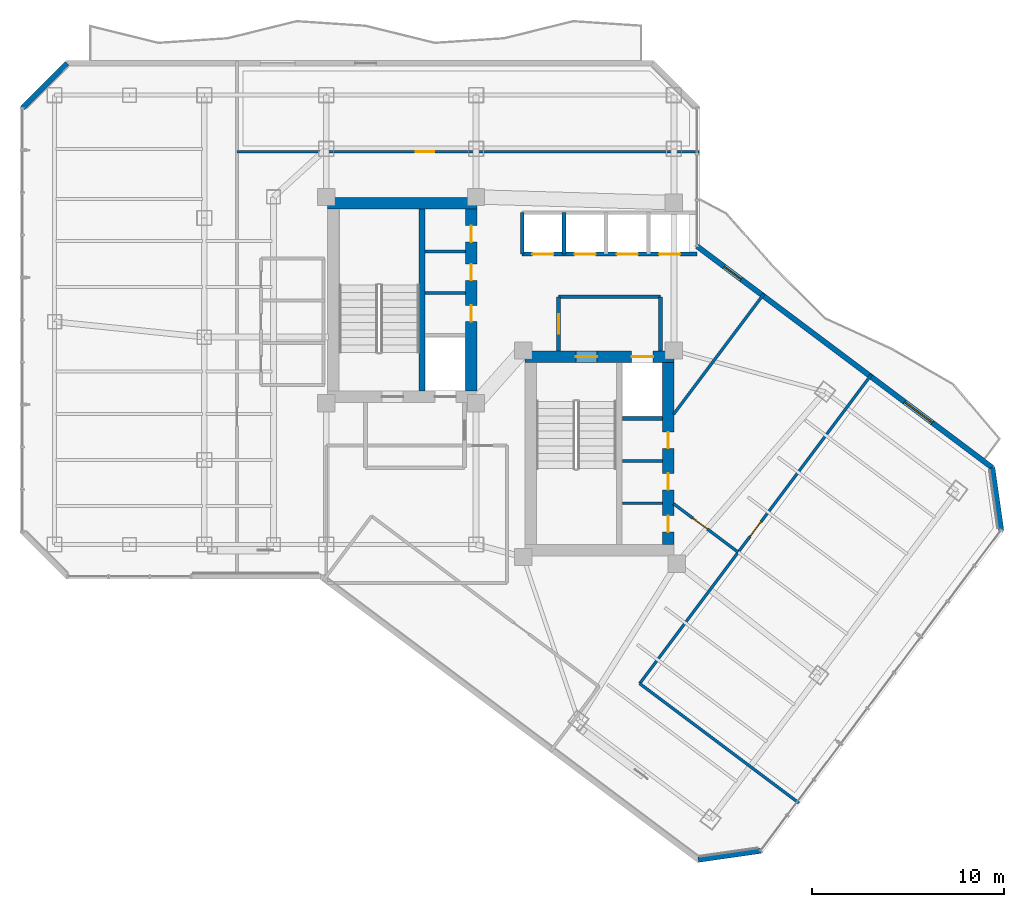
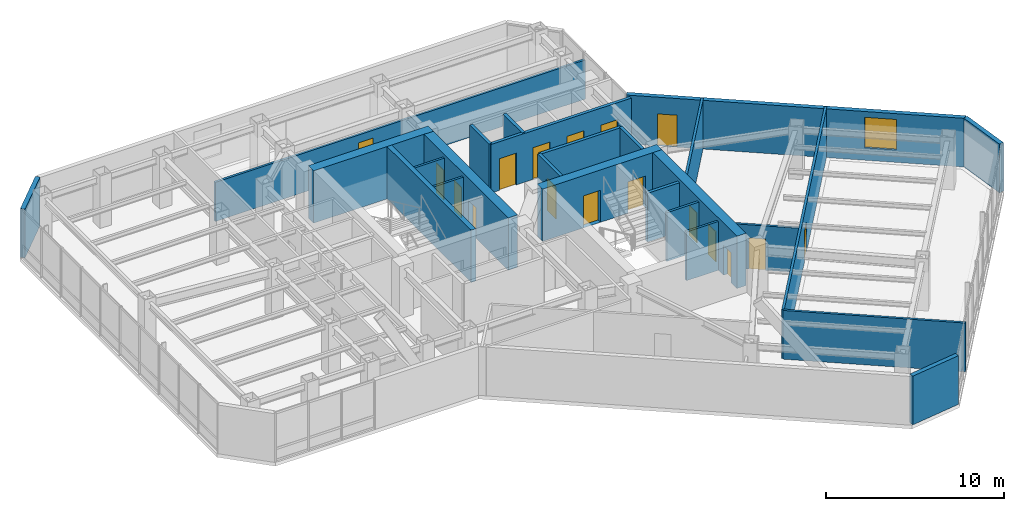
# One storey, part 23 of 28: 25 walls, 17 doors, 1 window, 18 openings.
"""IFC4 building model written with IfcOpenShell, lengths in metres."""

from ifc_helpers import new_model, si_unit, direction, frame, frame_2d, origin, place, context, subcontext, project, spatial, rectangle, extrude, material, layer, layer_set, type_object, element, fill, save


model = new_model("IFC4")

# Units and contexts
model_context = context("Model", 3, precision=1e-05, world=origin(), true_north=direction((0.0, 1.0)))
body_context = subcontext(model_context, "Body", "Model", "MODEL_VIEW")
ifc_project = project(units=[si_unit("LENGTHUNIT", "METRE"), si_unit("AREAUNIT", "SQUARE_METRE"), si_unit("VOLUMEUNIT", "CUBIC_METRE"), si_unit("PLANEANGLEUNIT", "RADIAN"), si_unit("MASSUNIT", "GRAM", prefix="KILO")], contexts=[model_context])

# Site, building, storey
site_placement = place(None, origin())
site = spatial("IfcSite", under=ifc_project, at=site_placement, CompositionType="ELEMENT")
building_placement = place(site_placement, origin())
building = spatial("IfcBuilding", under=site, at=building_placement, Name="Hatsunagi Terrace Concourse", CompositionType="ELEMENT")
storey_placement = place(building_placement, frame((0.0, 0.0, 170.85009765625)))
storey = spatial("IfcBuildingStorey", under=building, at=storey_placement, Name="L45", CompositionType="ELEMENT", Elevation=170.85009765625)

# Wall
ifc_material_1 = material(Name="Concrete Fc48", Category="concrete")
ifc_layer_1 = layer(ifc_material_1, 0.60009765625)
ifc_layer_set_1 = layer_set([ifc_layer_1], Name="CoreShearWall_Fc48_600")
wall_type_1 = type_object("IfcWallType", Name="CoreShearWall_Fc48_600", PredefinedType="SHEAR", material=ifc_layer_set_1)
wall_1_placement = place(storey_placement, frame((25.6201171875, 42.969970703125, 0.0), z_axis=(0.0, 0.0, 1.0), x_axis=(1.0, 0.0, 0.0)))
element("IfcWall", 1, at=wall_1_placement, inside=storey, type_object=wall_type_1, Name="Core A Shear Wall N L45", PredefinedType="SHEAR", context=body_context, shape_type="SweptSolid", body=[
    extrude(rectangle(XDim=7.77978515625, YDim=0.60009765625, at=frame_2d((3.889892578125, 0.0))), origin(), (0.0, 0.0, 1.0), 3.599853515625),
])

# Wall, openings, doors
wall_2_placement = place(storey_placement, frame((33.10009765625, 33.18994140625, 0.0), z_axis=(0.0, 0.0, 1.0), x_axis=(0.0, 1.0, 0.0)))
wall_2 = element("IfcWall", 2, at=wall_2_placement, inside=storey, type_object=wall_type_1, Name="Core A Shear Wall E L45", PredefinedType="SHEAR", context=body_context, shape_type="SweptSolid", body=[
    extrude(rectangle(XDim=9.47998046875, YDim=0.60009765625, at=frame_2d((4.739990234375, 0.0))), origin(), (0.0, 0.0, 1.0), 3.599853515625),
])
opening_1_placement = place(wall_2_placement, frame((3.610107421875, 0.0, 0.0)))
opening_1 = element("IfcOpeningElement", 3, at=opening_1_placement, cuts=wall_2, Name="Opening DR-085", PredefinedType="OPENING", context=body_context, shape_type="SweptSolid", body=[
    extrude(rectangle(XDim=0.85009765625, YDim=2.080078125, at=frame_2d((0.425048828125, 1.0400390625))), frame((0.0, 0.31005859375, 0.0), z_axis=(0.0, -1.0, 0.0), x_axis=(1.0, 0.0, 0.0)), (0.0, 0.0, 1.0), 0.6201171875),
])
opening_2_placement = place(wall_2_placement, frame((5.760009765625, 0.0, 0.0)))
opening_2 = element("IfcOpeningElement", 4, at=opening_2_placement, cuts=wall_2, Name="Opening DR-085", PredefinedType="OPENING", context=body_context, shape_type="SweptSolid", body=[
    extrude(rectangle(XDim=0.85009765625, YDim=2.080078125, at=frame_2d((0.425048828125, 1.0400390625))), frame((0.0, 0.31005859375, 0.0), z_axis=(0.0, -1.0, 0.0), x_axis=(1.0, 0.0, 0.0)), (0.0, 0.0, 1.0), 0.6201171875),
])
opening_3_placement = place(wall_2_placement, frame((7.760009765625, 0.0, 0.0)))
opening_3 = element("IfcOpeningElement", 5, at=opening_3_placement, cuts=wall_2, Name="Opening DR-085", PredefinedType="OPENING", context=body_context, shape_type="SweptSolid", body=[
    extrude(rectangle(XDim=0.85009765625, YDim=2.080078125, at=frame_2d((0.425048828125, 1.0400390625))), frame((0.0, 0.31005859375, 0.0), z_axis=(0.0, -1.0, 0.0), x_axis=(1.0, 0.0, 0.0)), (0.0, 0.0, 1.0), 0.6201171875),
])
ifc_material_2 = material(Name="Painted steel", Category="steel")
door_type_1 = type_object("IfcDoorType", Name="RiserAccessDoor_EI60_850", OperationType="NOTDEFINED", PredefinedType="DOOR", material=ifc_material_2)
door_1_placement = place(opening_1_placement, origin())
door_1 = element("IfcDoor", 6, at=door_1_placement, inside=storey, type_object=door_type_1, Name="Core A Riser Door L45-1", OperationType="SINGLE_SWING_LEFT", OverallHeight=2.080078125, OverallWidth=0.85009765625, PredefinedType="DOOR", context=body_context, shape_type="SweptSolid", body=[
    extrude(rectangle(XDim=0.85009765625, YDim=2.080078125, at=frame_2d((0.425048828125, 1.0400390625))), frame((0.0, 0.02490234375, 0.0), z_axis=(0.0, -1.0, 0.0), x_axis=(1.0, 0.0, 0.0)), (0.0, 0.0, 1.0), 0.050048828125),
])
fill(opening_1, door_1)
door_2_placement = place(opening_2_placement, origin())
door_2 = element("IfcDoor", 7, at=door_2_placement, inside=storey, type_object=door_type_1, Name="Core A Riser Door L45-2", OperationType="SINGLE_SWING_LEFT", OverallHeight=2.080078125, OverallWidth=0.85009765625, PredefinedType="DOOR", context=body_context, shape_type="SweptSolid", body=[
    extrude(rectangle(XDim=0.85009765625, YDim=2.080078125, at=frame_2d((0.425048828125, 1.0400390625))), frame((0.0, 0.02490234375, 0.0), z_axis=(0.0, -1.0, 0.0), x_axis=(1.0, 0.0, 0.0)), (0.0, 0.0, 1.0), 0.050048828125),
])
fill(opening_2, door_2)
door_3_placement = place(opening_3_placement, origin())
door_3 = element("IfcDoor", 8, at=door_3_placement, inside=storey, type_object=door_type_1, Name="Core A Riser Door L45-3", OperationType="SINGLE_SWING_LEFT", OverallHeight=2.080078125, OverallWidth=0.85009765625, PredefinedType="DOOR", context=body_context, shape_type="SweptSolid", body=[
    extrude(rectangle(XDim=0.85009765625, YDim=2.080078125, at=frame_2d((0.425048828125, 1.0400390625))), frame((0.0, 0.02490234375, 0.0), z_axis=(0.0, -1.0, 0.0), x_axis=(1.0, 0.0, 0.0)), (0.0, 0.0, 1.0), 0.050048828125),
])
fill(opening_3, door_3)

wall_3_placement = place(storey_placement, frame((35.889892578125, 34.969970703125, 0.0), z_axis=(0.0, 0.0, 1.0), x_axis=(1.0, 0.0, 0.0)))
wall_3 = element("IfcWall", 9, at=wall_3_placement, inside=storey, type_object=wall_type_1, Name="Core B Shear Wall N L45", PredefinedType="SHEAR", context=body_context, shape_type="SweptSolid", body=[
    extrude(rectangle(XDim=7.760009765625, YDim=0.60009765625, at=frame_2d((3.8798828125, 0.0))), origin(), (0.0, 0.0, 1.0), 3.599853515625),
])
opening_4_placement = place(wall_3_placement, frame((2.659912109375, 0.0, 0.0)))
opening_4 = element("IfcOpeningElement", 10, at=opening_4_placement, cuts=wall_3, Name="Opening DR-110S", PredefinedType="OPENING", context=body_context, shape_type="SweptSolid", body=[
    extrude(rectangle(XDim=1.10009765625, YDim=2.199951171875, at=frame_2d((0.550048828125, 1.10009765625))), frame((0.0, 0.31005859375, 0.0), z_axis=(0.0, -1.0, 0.0), x_axis=(1.0, 0.0, 0.0)), (0.0, 0.0, 1.0), 0.6201171875),
])
opening_5_placement = place(wall_3_placement, frame((5.56005859375, 0.0, 0.0)))
opening_5 = element("IfcOpeningElement", 11, at=opening_5_placement, cuts=wall_3, Name="Opening LD-02", PredefinedType="OPENING", context=body_context, shape_type="SweptSolid", body=[
    extrude(rectangle(XDim=1.1201171875, YDim=2.14990234375, at=frame_2d((0.56005859375, 1.074951171875))), frame((0.0, 0.31005859375, 0.0), z_axis=(0.0, -1.0, 0.0), x_axis=(1.0, 0.0, 0.0)), (0.0, 0.0, 1.0), 0.6201171875),
])
ifc_material_3 = material(Name="Stainless steel", Category="steel")
door_type_2 = type_object("IfcDoorType", Name="LiftLandingDoor_LD02", OperationType="SLIDING_TO_RIGHT", PredefinedType="USERDEFINED", material=ifc_material_3)
door_4_placement = place(opening_5_placement, origin())
door_4 = element("IfcDoor", 12, at=door_4_placement, inside=storey, type_object=door_type_2, Name="Lift landing door FF-02 L45", ObjectType="SLIDING_LANDING_DOOR", OperationType="SLIDING_TO_RIGHT", OverallHeight=2.14990234375, OverallWidth=1.1201171875, PredefinedType="USERDEFINED", context=body_context, shape_type="SweptSolid", body=[
    extrude(rectangle(XDim=1.1201171875, YDim=2.14990234375, at=frame_2d((0.56005859375, 1.074951171875))), frame((0.0, 0.02490234375, 0.0), z_axis=(0.0, -1.0, 0.0), x_axis=(1.0, 0.0, 0.0)), (0.0, 0.0, 1.0), 0.050048828125),
])
fill(opening_5, door_4)
ifc_material_4 = material(Name="Painted steel", Category="steel")
door_type_3 = type_object("IfcDoorType", Name="StairFireDoor_EI60_1100", OperationType="NOTDEFINED", PredefinedType="DOOR", material=ifc_material_4)
door_5_placement = place(opening_4_placement, origin())
door_5 = element("IfcDoor", 13, at=door_5_placement, inside=storey, type_object=door_type_3, Name="Stair ST-B Exit Door L45", OperationType="SINGLE_SWING_RIGHT", OverallHeight=2.199951171875, OverallWidth=1.10009765625, PredefinedType="DOOR", context=body_context, shape_type="SweptSolid", body=[
    extrude(rectangle(XDim=1.10009765625, YDim=2.199951171875, at=frame_2d((0.550048828125, 1.10009765625))), frame((0.0, 0.02490234375, 0.0), z_axis=(0.0, -1.0, 0.0), x_axis=(1.0, 0.0, 0.0)), (0.0, 0.0, 1.0), 0.050048828125),
])
fill(opening_4, door_5)

wall_4_placement = place(storey_placement, frame((43.35009765625, 25.18994140625, 0.0), z_axis=(0.0, 0.0, 1.0), x_axis=(0.0, 1.0, 0.0)))
wall_4 = element("IfcWall", 14, at=wall_4_placement, inside=storey, type_object=wall_type_1, Name="Core B Shear Wall E L45", PredefinedType="SHEAR", context=body_context, shape_type="SweptSolid", body=[
    extrude(rectangle(XDim=9.47998046875, YDim=0.60009765625, at=frame_2d((4.739990234375, 0.0))), origin(), (0.0, 0.0, 1.0), 3.599853515625),
])
opening_6_placement = place(wall_4_placement, frame((0.659912109375, 0.0, 0.0)))
opening_6 = element("IfcOpeningElement", 15, at=opening_6_placement, cuts=wall_4, Name="Opening DR-085", PredefinedType="OPENING", context=body_context, shape_type="SweptSolid", body=[
    extrude(rectangle(XDim=0.85009765625, YDim=2.080078125, at=frame_2d((0.425048828125, 1.0400390625))), frame((0.0, 0.31005859375, 0.0), z_axis=(0.0, -1.0, 0.0), x_axis=(1.0, 0.0, 0.0)), (0.0, 0.0, 1.0), 0.6201171875),
])
opening_7_placement = place(wall_4_placement, frame((2.860107421875, 0.0, 0.0)))
opening_7 = element("IfcOpeningElement", 16, at=opening_7_placement, cuts=wall_4, Name="Opening DR-085", PredefinedType="OPENING", context=body_context, shape_type="SweptSolid", body=[
    extrude(rectangle(XDim=0.85009765625, YDim=2.080078125, at=frame_2d((0.425048828125, 1.0400390625))), frame((0.0, 0.31005859375, 0.0), z_axis=(0.0, -1.0, 0.0), x_axis=(1.0, 0.0, 0.0)), (0.0, 0.0, 1.0), 0.6201171875),
])
opening_8_placement = place(wall_4_placement, frame((5.010009765625, 0.0, 0.0)))
opening_8 = element("IfcOpeningElement", 17, at=opening_8_placement, cuts=wall_4, Name="Opening DR-085", PredefinedType="OPENING", context=body_context, shape_type="SweptSolid", body=[
    extrude(rectangle(XDim=0.85009765625, YDim=2.080078125, at=frame_2d((0.425048828125, 1.0400390625))), frame((0.0, 0.31005859375, 0.0), z_axis=(0.0, -1.0, 0.0), x_axis=(1.0, 0.0, 0.0)), (0.0, 0.0, 1.0), 0.6201171875),
])
door_6_placement = place(opening_6_placement, origin())
door_6 = element("IfcDoor", 18, at=door_6_placement, inside=storey, type_object=door_type_1, Name="Core B Riser Door L45-1", OperationType="SINGLE_SWING_RIGHT", OverallHeight=2.080078125, OverallWidth=0.85009765625, PredefinedType="DOOR", context=body_context, shape_type="SweptSolid", body=[
    extrude(rectangle(XDim=0.85009765625, YDim=2.080078125, at=frame_2d((0.425048828125, 1.0400390625))), frame((0.0, 0.02490234375, 0.0), z_axis=(0.0, -1.0, 0.0), x_axis=(1.0, 0.0, 0.0)), (0.0, 0.0, 1.0), 0.050048828125),
])
fill(opening_6, door_6)
door_7_placement = place(opening_7_placement, origin())
door_7 = element("IfcDoor", 19, at=door_7_placement, inside=storey, type_object=door_type_1, Name="Core B Riser Door L45-2", OperationType="SINGLE_SWING_RIGHT", OverallHeight=2.080078125, OverallWidth=0.85009765625, PredefinedType="DOOR", context=body_context, shape_type="SweptSolid", body=[
    extrude(rectangle(XDim=0.85009765625, YDim=2.080078125, at=frame_2d((0.425048828125, 1.0400390625))), frame((0.0, 0.02490234375, 0.0), z_axis=(0.0, -1.0, 0.0), x_axis=(1.0, 0.0, 0.0)), (0.0, 0.0, 1.0), 0.050048828125),
])
fill(opening_7, door_7)
door_8_placement = place(opening_8_placement, origin())
door_8 = element("IfcDoor", 20, at=door_8_placement, inside=storey, type_object=door_type_1, Name="Core B Riser Door L45-3", OperationType="SINGLE_SWING_RIGHT", OverallHeight=2.080078125, OverallWidth=0.85009765625, PredefinedType="DOOR", context=body_context, shape_type="SweptSolid", body=[
    extrude(rectangle(XDim=0.85009765625, YDim=2.080078125, at=frame_2d((0.425048828125, 1.0400390625))), frame((0.0, 0.02490234375, 0.0), z_axis=(0.0, -1.0, 0.0), x_axis=(1.0, 0.0, 0.0)), (0.0, 0.0, 1.0), 0.050048828125),
])
fill(opening_8, door_8)

# Walls
ifc_material_5 = material(Name="Concrete Fc48", Category="concrete")
ifc_layer_2 = layer(ifc_material_5, 0.300048828125)
ifc_layer_set_2 = layer_set([ifc_layer_2], Name="CoreStairDivider_Fc48_300")
wall_type_2 = type_object("IfcWallType", Name="CoreStairDivider_Fc48_300", PredefinedType="SHEAR", material=ifc_layer_set_2)
wall_5_placement = place(storey_placement, frame((30.5400390625, 33.18994140625, 0.0), z_axis=(0.0, 0.0, 1.0), x_axis=(0.0, 1.0, 0.0)))
element("IfcWall", 21, at=wall_5_placement, inside=storey, type_object=wall_type_2, Name="Core A Shear Wall D L45", PredefinedType="SHEAR", context=body_context, shape_type="SweptSolid", body=[
    extrude(rectangle(XDim=9.47998046875, YDim=0.300048828125, at=frame_2d((4.739990234375, 0.0))), origin(), (0.0, 0.0, 1.0), 3.599853515625),
])
ifc_material_6 = material(Name="Acoustic mineral board", Category="gypsum")
ifc_layer_3 = layer(ifc_material_6, 0.14990234375)
ifc_layer_set_3 = layer_set([ifc_layer_3], Name="PartitionWall_EI60_150")
wall_type_3 = type_object("IfcWallType", Name="PartitionWall_EI60_150", PredefinedType="PARTITIONING", material=ifc_layer_set_3)
for number, where, z_axis, x_axis, name in (
    (22, (30.699951171875, 38.300048828125, 0.0), (0.0, 0.0, 1.0), (1.0, 0.0, 0.0), "Interior Partition IW-L45-002"),
    (23, (30.699951171875, 40.449951171875, 0.0), (0.0, 0.0, 1.0), (1.0, 0.0, 0.0), "Interior Partition IW-L45-003"),
):
    element("IfcWall", number, at=place(storey_placement, frame(where, z_axis=z_axis, x_axis=x_axis)), inside=storey, type_object=wall_type_3, Name=name, PredefinedType="PARTITIONING", context=body_context, shape_type="SweptSolid", body=[
        extrude(rectangle(XDim=2.10009765625, YDim=0.14990234375, at=frame_2d((1.050048828125, 0.0))), origin(), (0.0, 0.0, 1.0), 3.349853515625),
    ])
for number, where, z_axis, x_axis, name in (
    (24, (40.969970703125, 27.35009765625, 0.0), (0.0, 0.0, 1.0), (1.0, 0.0, 0.0), "Interior Partition IW-L45-005"),
    (25, (40.969970703125, 29.550048828125, 0.0), (0.0, 0.0, 1.0), (1.0, 0.0, 0.0), "Interior Partition IW-L45-006"),
):
    element("IfcWall", number, at=place(storey_placement, frame(where, z_axis=z_axis, x_axis=x_axis)), inside=storey, type_object=wall_type_3, Name=name, PredefinedType="PARTITIONING", context=body_context, shape_type="SweptSolid", body=[
        extrude(rectangle(XDim=2.080078125, YDim=0.14990234375, at=frame_2d((1.0400390625, 0.0))), origin(), (0.0, 0.0, 1.0), 3.349853515625),
    ])

# Wall, opening, door
wall_6_placement = place(storey_placement, frame((20.89990234375, 45.64990234375, 0.0), z_axis=(0.0, 0.0, 1.0), x_axis=(1.0, 0.0, 0.0)))
wall_6 = element("IfcWall", 26, at=wall_6_placement, inside=storey, type_object=wall_type_3, Name="Interior Partition IW-L45-032", PredefinedType="PARTITIONING", context=body_context, shape_type="SweptSolid", body=[
    extrude(rectangle(XDim=24.06005859375, YDim=0.14990234375, at=frame_2d((12.030029296875, 0.0))), origin(), (0.0, 0.0, 1.0), 2.69482421875),
])
opening_9_placement = place(wall_6_placement, frame((9.320068359375, 0.0, 0.0)))
opening_9 = element("IfcOpeningElement", 27, at=opening_9_placement, cuts=wall_6, Name="Opening DR-095", PredefinedType="OPENING", context=body_context, shape_type="SweptSolid", body=[
    extrude(rectangle(XDim=0.949951171875, YDim=2.14990234375, at=frame_2d((0.47509765625, 1.074951171875))), frame((0.0, 0.0849609375, 0.0), z_axis=(0.0, -1.0, 0.0), x_axis=(1.0, 0.0, 0.0)), (0.0, 0.0, 1.0), 0.169921875),
])
ifc_material_7 = material(Name="Hardwood timber", Category="wood")
door_type_4 = type_object("IfcDoorType", Name="InteriorSuiteDoor_EI30_950", OperationType="NOTDEFINED", PredefinedType="DOOR", material=ifc_material_7)
door_9_placement = place(opening_9_placement, origin())
door_9 = element("IfcDoor", 28, at=door_9_placement, inside=storey, type_object=door_type_4, Name="Collaboration Lounge L45-ON1 Door", OperationType="SINGLE_SWING_RIGHT", OverallHeight=2.14990234375, OverallWidth=0.949951171875, PredefinedType="DOOR", context=body_context, shape_type="SweptSolid", body=[
    extrude(rectangle(XDim=0.949951171875, YDim=2.14990234375, at=frame_2d((0.47509765625, 1.074951171875))), frame((0.0, 0.02490234375, 0.0), z_axis=(0.0, -1.0, 0.0), x_axis=(1.0, 0.0, 0.0)), (0.0, 0.0, 1.0), 0.050048828125),
])
fill(opening_9, door_9)

# Wall
wall_7_placement = place(storey_placement, frame((41.8701171875, 17.9599609375, 0.0), z_axis=(0.0, 0.0, 1.0), x_axis=(0.799991516197, -0.600011311571, 0.0)))
element("IfcWall", 29, at=wall_7_placement, inside=storey, type_object=wall_type_3, Name="Interior Partition IW-L45-033", PredefinedType="PARTITIONING", context=body_context, shape_type="SweptSolid", body=[
    extrude(rectangle(XDim=10.35986328125, YDim=0.14990234375, at=frame_2d((5.179931640625, 0.0))), origin(), (0.0, 0.0, 1.0), 3.349853515625),
])

# Wall, opening, door
wall_8_placement = place(storey_placement, frame((41.8701171875, 17.9599609375, 0.0), z_axis=(0.0, 0.0, 1.0), x_axis=(0.599994172676, 0.80000437046, 0.0)))
wall_8 = element("IfcWall", 30, at=wall_8_placement, inside=storey, type_object=wall_type_3, Name="Interior Partition IW-L45-034", PredefinedType="PARTITIONING", context=body_context, shape_type="SweptSolid", body=[
    extrude(rectangle(XDim=20.110107421875, YDim=0.14990234375, at=frame_2d((10.05517578125, 0.0))), origin(), (0.0, 0.0, 1.0), 3.349853515625),
])
opening_10_placement = place(wall_8_placement, frame((9.580078125, 0.0, 0.0)))
opening_10 = element("IfcOpeningElement", 31, at=opening_10_placement, cuts=wall_8, Name="Opening DR-095", PredefinedType="OPENING", context=body_context, shape_type="SweptSolid", body=[
    extrude(rectangle(XDim=0.949951171875, YDim=2.14990234375, at=frame_2d((0.47509765625, 1.074951171875))), frame((0.0, 0.0849609375, 0.0), z_axis=(0.0, -1.0, 0.0), x_axis=(1.0, 0.0, 0.0)), (0.0, 0.0, 1.0), 0.169921875),
])
door_10_placement = place(opening_10_placement, origin())
door_10 = element("IfcDoor", 32, at=door_10_placement, inside=storey, type_object=door_type_4, Name="Design Studio L45-OSE1 Door", OperationType="SINGLE_SWING_RIGHT", OverallHeight=2.14990234375, OverallWidth=0.949951171875, PredefinedType="DOOR", context=body_context, shape_type="SweptSolid", body=[
    extrude(rectangle(XDim=0.949951171875, YDim=2.14990234375, at=frame_2d((0.47509765625, 1.074951171875))), frame((0.0, 0.02490234375, 0.0), z_axis=(0.0, -1.0, 0.0), x_axis=(1.0, 0.0, 0.0)), (0.0, 0.0, 1.0), 0.050048828125),
])
fill(opening_10, door_10)

wall_9_placement = place(storey_placement, frame((43.6298828125, 27.327880859375, 0.0), z_axis=(0.0, 0.0, 1.0), x_axis=(0.799972182084, -0.600037088764, 0.0)))
wall_9 = element("IfcWall", 33, at=wall_9_placement, inside=storey, type_object=wall_type_3, Name="Interior Partition IW-L45-035", PredefinedType="PARTITIONING", context=body_context, shape_type="SweptSolid", body=[
    extrude(rectangle(XDim=4.212890625, YDim=0.14990234375, at=frame_2d((2.1064453125, 0.0))), origin(), (0.0, 0.0, 1.0), 3.044921875),
])
opening_11_placement = place(wall_9_placement, frame((1.256103515625, 0.0, 0.0)))
opening_11 = element("IfcOpeningElement", 34, at=opening_11_placement, cuts=wall_9, Name="Opening DR-095", PredefinedType="OPENING", context=body_context, shape_type="SweptSolid", body=[
    extrude(rectangle(XDim=0.949951171875, YDim=2.14990234375, at=frame_2d((0.47509765625, 1.074951171875))), frame((0.0, 0.0849609375, 0.0), z_axis=(0.0, -1.0, 0.0), x_axis=(1.0, 0.0, 0.0)), (0.0, 0.0, 1.0), 0.169921875),
])
door_11_placement = place(opening_11_placement, origin())
door_11 = element("IfcDoor", 35, at=door_11_placement, inside=storey, type_object=door_type_4, Name="Collaboration Lounge L45-OSEN0 Door", OperationType="SINGLE_SWING_LEFT", OverallHeight=2.14990234375, OverallWidth=0.949951171875, PredefinedType="DOOR", context=body_context, shape_type="SweptSolid", body=[
    extrude(rectangle(XDim=0.949951171875, YDim=2.14990234375, at=frame_2d((0.47509765625, 1.074951171875))), frame((0.0, 0.02490234375, 0.0), z_axis=(0.0, -1.0, 0.0), x_axis=(1.0, 0.0, 0.0)), (0.0, 0.0, 1.0), 0.050048828125),
])
fill(opening_11, door_11)

# Walls
wall_10_placement = place(storey_placement, frame((43.6298828125, 31.972900390625, 0.0), z_axis=(0.0, 0.0, 1.0), x_axis=(0.599975099311, 0.800018674911, 0.0)))
element("IfcWall", 36, at=wall_10_placement, inside=storey, type_object=wall_type_3, Name="Interior Partition IW-L45-036", PredefinedType="PARTITIONING", context=body_context, shape_type="SweptSolid", body=[
    extrude(rectangle(XDim=7.84375, YDim=0.14990234375, at=frame_2d((3.921875, 0.0))), origin(), (0.0, 0.0, 1.0), 3.349853515625),
])
ifc_material_8 = material(Name="Acoustic mineral board", Category="gypsum")
ifc_layer_4 = layer(ifc_material_8, 0.199951171875)
ifc_layer_set_4 = layer_set([ifc_layer_4], Name="ShaftWall_EI120_200")
wall_type_4 = type_object("IfcWallType", Name="ShaftWall_EI120_200", PredefinedType="STANDARD", material=ifc_layer_set_4)
wall_11_placement = place(storey_placement, frame((40.969970703125, 31.760009765625, 0.0), z_axis=(0.0, 0.0, 1.0), x_axis=(1.0, 0.0, 0.0)))
element("IfcWall", 37, at=wall_11_placement, inside=storey, type_object=wall_type_4, Name="Interior Partition IW-L45-004", PredefinedType="STANDARD", context=body_context, shape_type="SweptSolid", body=[
    extrude(rectangle(XDim=2.080078125, YDim=0.199951171875, at=frame_2d((1.0400390625, 0.0))), origin(), (0.0, 0.0, 1.0), 3.349853515625),
])
wall_12_placement = place(storey_placement, frame((37.64990234375, 38.10009765625, 0.0), z_axis=(0.0, 0.0, 1.0), x_axis=(1.0, 0.0, 0.0)))
element("IfcWall", 38, at=wall_12_placement, inside=storey, type_object=wall_type_4, Name="Interior Partition IW-L45-010", PredefinedType="STANDARD", context=body_context, shape_type="SweptSolid", body=[
    extrude(rectangle(XDim=5.300048828125, YDim=0.199951171875, at=frame_2d((2.64990234375, 0.0))), origin(), (0.0, 0.0, 1.0), 3.349853515625),
])
wall_13_placement = place(storey_placement, frame((42.949951171875, 35.27001953125, 0.0), z_axis=(0.0, 0.0, 1.0), x_axis=(0.0, 1.0, 0.0)))
element("IfcWall", 39, at=wall_13_placement, inside=storey, type_object=wall_type_4, Name="Interior Partition IW-L45-011", PredefinedType="STANDARD", context=body_context, shape_type="SweptSolid", body=[
    extrude(rectangle(XDim=2.830078125, YDim=0.199951171875, at=frame_2d((1.4150390625, 0.0))), origin(), (0.0, 0.0, 1.0), 3.349853515625),
])

# Wall, opening, door
wall_14_placement = place(storey_placement, frame((37.64990234375, 35.27001953125, 0.0), z_axis=(0.0, 0.0, 1.0), x_axis=(0.0, 1.0, 0.0)))
wall_14 = element("IfcWall", 40, at=wall_14_placement, inside=storey, type_object=wall_type_4, Name="Interior Partition IW-L45-012", PredefinedType="STANDARD", context=body_context, shape_type="SweptSolid", body=[
    extrude(rectangle(XDim=2.830078125, YDim=0.199951171875, at=frame_2d((1.4150390625, 0.0))), origin(), (0.0, 0.0, 1.0), 3.349853515625),
])
opening_12_placement = place(wall_14_placement, frame((0.9150390625, 0.0, 0.0)))
opening_12 = element("IfcOpeningElement", 41, at=opening_12_placement, cuts=wall_14, Name="Opening DR-100F", PredefinedType="OPENING", context=body_context, shape_type="SweptSolid", body=[
    extrude(rectangle(XDim=1.0, YDim=2.199951171875, at=frame_2d((0.5, 1.10009765625))), frame((0.0, 0.10986328125, 0.0), z_axis=(0.0, -1.0, 0.0), x_axis=(1.0, 0.0, 0.0)), (0.0, 0.0, 1.0), 0.219970703125),
])
ifc_material_9 = material(Name="Painted steel", Category="steel")
door_type_5 = type_object("IfcDoorType", Name="FireDoor_EI60_1000", OperationType="NOTDEFINED", PredefinedType="DOOR", material=ifc_material_9)
door_12_placement = place(opening_12_placement, origin())
door_12 = element("IfcDoor", 42, at=door_12_placement, inside=storey, type_object=door_type_5, Name="Firefighting Lobby B Door L45", OperationType="SINGLE_SWING_RIGHT", OverallHeight=2.199951171875, OverallWidth=1.0, PredefinedType="DOOR", context=body_context, shape_type="SweptSolid", body=[
    extrude(rectangle(XDim=1.0, YDim=2.199951171875, at=frame_2d((0.5, 1.10009765625))), frame((0.0, 0.02490234375, 0.0), z_axis=(0.0, -1.0, 0.0), x_axis=(1.0, 0.0, 0.0)), (0.0, 0.0, 1.0), 0.050048828125),
])
fill(opening_12, door_12)

# Walls
for number, where, z_axis, x_axis, name in (
    (43, (35.75, 40.320068359375, 0.0), (0.0, 0.0, 1.0), (0.0, 1.0, 0.0), "Interior Partition IW-L45-014"),
    (44, (37.919921875, 40.320068359375, 0.0), (0.0, 0.0, 1.0), (0.0, 1.0, 0.0), "Interior Partition IW-L45-015"),
):
    element("IfcWall", number, at=place(storey_placement, frame(where, z_axis=z_axis, x_axis=x_axis)), inside=storey, type_object=wall_type_4, Name=name, PredefinedType="STANDARD", context=body_context, shape_type="SweptSolid", body=[
        extrude(rectangle(XDim=2.159912109375, YDim=0.199951171875, at=frame_2d((1.080078125, 0.0))), origin(), (0.0, 0.0, 1.0), 3.349853515625),
    ])

# Wall, openings, doors
wall_15_placement = place(storey_placement, frame((35.75, 40.320068359375, 0.0), z_axis=(0.0, 0.0, 1.0), x_axis=(1.0, 0.0, 0.0)))
wall_15 = element("IfcWall", 45, at=wall_15_placement, inside=storey, type_object=wall_type_4, Name="Interior Partition IW-L45-018", PredefinedType="STANDARD", context=body_context, shape_type="SweptSolid", body=[
    extrude(rectangle(XDim=9.110107421875, YDim=0.199951171875, at=frame_2d((4.55517578125, 0.0))), origin(), (0.0, 0.0, 1.0), 3.349853515625),
])
opening_13_placement = place(wall_15_placement, frame((0.530029296875, 0.0, 0.0)))
opening_13 = element("IfcOpeningElement", 46, at=opening_13_placement, cuts=wall_15, Name="Opening LD-04", PredefinedType="OPENING", context=body_context, shape_type="SweptSolid", body=[
    extrude(rectangle(XDim=1.10009765625, YDim=2.179931640625, at=frame_2d((0.550048828125, 1.08984375))), frame((0.0, 0.10986328125, 0.0), z_axis=(0.0, -1.0, 0.0), x_axis=(1.0, 0.0, 0.0)), (0.0, 0.0, 1.0), 0.219970703125),
])
opening_14_placement = place(wall_15_placement, frame((2.72998046875, 0.0, 0.0)))
opening_14 = element("IfcOpeningElement", 47, at=opening_14_placement, cuts=wall_15, Name="Opening LD-04", PredefinedType="OPENING", context=body_context, shape_type="SweptSolid", body=[
    extrude(rectangle(XDim=1.10009765625, YDim=2.179931640625, at=frame_2d((0.550048828125, 1.08984375))), frame((0.0, 0.10986328125, 0.0), z_axis=(0.0, -1.0, 0.0), x_axis=(1.0, 0.0, 0.0)), (0.0, 0.0, 1.0), 0.219970703125),
])
opening_15_placement = place(wall_15_placement, frame((4.929931640625, 0.0, 0.0)))
opening_15 = element("IfcOpeningElement", 48, at=opening_15_placement, cuts=wall_15, Name="Opening LD-04", PredefinedType="OPENING", context=body_context, shape_type="SweptSolid", body=[
    extrude(rectangle(XDim=1.10009765625, YDim=2.179931640625, at=frame_2d((0.550048828125, 1.08984375))), frame((0.0, 0.10986328125, 0.0), z_axis=(0.0, -1.0, 0.0), x_axis=(1.0, 0.0, 0.0)), (0.0, 0.0, 1.0), 0.219970703125),
])
opening_16_placement = place(wall_15_placement, frame((7.1298828125, 0.0, 0.0)))
opening_16 = element("IfcOpeningElement", 49, at=opening_16_placement, cuts=wall_15, Name="Opening LD-04", PredefinedType="OPENING", context=body_context, shape_type="SweptSolid", body=[
    extrude(rectangle(XDim=1.10009765625, YDim=2.179931640625, at=frame_2d((0.550048828125, 1.08984375))), frame((0.0, 0.10986328125, 0.0), z_axis=(0.0, -1.0, 0.0), x_axis=(1.0, 0.0, 0.0)), (0.0, 0.0, 1.0), 0.219970703125),
])
ifc_material_10 = material(Name="Stainless steel", Category="steel")
door_type_6 = type_object("IfcDoorType", Name="LiftLandingDoor_LD04", OperationType="SLIDING_TO_RIGHT", PredefinedType="USERDEFINED", material=ifc_material_10)
door_13_placement = place(opening_13_placement, origin())
door_13 = element("IfcDoor", 50, at=door_13_placement, inside=storey, type_object=door_type_6, Name="Lift landing door PL-05 L45", ObjectType="SLIDING_LANDING_DOOR", OperationType="SLIDING_TO_RIGHT", OverallHeight=2.179931640625, OverallWidth=1.10009765625, PredefinedType="USERDEFINED", context=body_context, shape_type="SweptSolid", body=[
    extrude(rectangle(XDim=1.10009765625, YDim=2.179931640625, at=frame_2d((0.550048828125, 1.08984375))), frame((0.0, 0.02490234375, 0.0), z_axis=(0.0, -1.0, 0.0), x_axis=(1.0, 0.0, 0.0)), (0.0, 0.0, 1.0), 0.050048828125),
])
fill(opening_13, door_13)
door_14_placement = place(opening_14_placement, origin())
door_14 = element("IfcDoor", 51, at=door_14_placement, inside=storey, type_object=door_type_6, Name="Lift landing door PL-06 L45", ObjectType="SLIDING_LANDING_DOOR", OperationType="SLIDING_TO_RIGHT", OverallHeight=2.179931640625, OverallWidth=1.10009765625, PredefinedType="USERDEFINED", context=body_context, shape_type="SweptSolid", body=[
    extrude(rectangle(XDim=1.10009765625, YDim=2.179931640625, at=frame_2d((0.550048828125, 1.08984375))), frame((0.0, 0.02490234375, 0.0), z_axis=(0.0, -1.0, 0.0), x_axis=(1.0, 0.0, 0.0)), (0.0, 0.0, 1.0), 0.050048828125),
])
fill(opening_14, door_14)
door_15_placement = place(opening_15_placement, origin())
door_15 = element("IfcDoor", 52, at=door_15_placement, inside=storey, type_object=door_type_6, Name="Lift landing door PL-07 L45", ObjectType="SLIDING_LANDING_DOOR", OperationType="SLIDING_TO_RIGHT", OverallHeight=2.179931640625, OverallWidth=1.10009765625, PredefinedType="USERDEFINED", context=body_context, shape_type="SweptSolid", body=[
    extrude(rectangle(XDim=1.10009765625, YDim=2.179931640625, at=frame_2d((0.550048828125, 1.08984375))), frame((0.0, 0.02490234375, 0.0), z_axis=(0.0, -1.0, 0.0), x_axis=(1.0, 0.0, 0.0)), (0.0, 0.0, 1.0), 0.050048828125),
])
fill(opening_15, door_15)
door_16_placement = place(opening_16_placement, origin())
door_16 = element("IfcDoor", 53, at=door_16_placement, inside=storey, type_object=door_type_6, Name="Lift landing door PL-08 L45", ObjectType="SLIDING_LANDING_DOOR", OperationType="SLIDING_TO_RIGHT", OverallHeight=2.179931640625, OverallWidth=1.10009765625, PredefinedType="USERDEFINED", context=body_context, shape_type="SweptSolid", body=[
    extrude(rectangle(XDim=1.10009765625, YDim=2.179931640625, at=frame_2d((0.550048828125, 1.08984375))), frame((0.0, 0.02490234375, 0.0), z_axis=(0.0, -1.0, 0.0), x_axis=(1.0, 0.0, 0.0)), (0.0, 0.0, 1.0), 0.050048828125),
])
fill(opening_16, door_16)

# Wall, openings, door, window
ifc_material_11 = material(Name="Autoclaved Lightweight Concrete and Terracotta Cladding", Category="masonry")
ifc_layer_5 = layer(ifc_material_11, 0.280029296875)
ifc_layer_set_5 = layer_set([ifc_layer_5], Name="TerracottaSpandrelWall_280")
wall_type_5 = type_object("IfcWallType", Name="TerracottaSpandrelWall_280", PredefinedType="STANDARD", material=ifc_layer_set_5)
wall_16_placement = place(storey_placement, frame((44.860107421875, 40.72998046875, 0.0), z_axis=(0.0, 0.0, 1.0), x_axis=(0.800007624502, -0.599989833863, 0.0)))
wall_16 = element("IfcWall", 54, at=wall_16_placement, inside=storey, type_object=wall_type_5, Name="Exterior Spandrel Wall EW-L45-01", PredefinedType="STANDARD", context=body_context, shape_type="SweptSolid", body=[
    extrude(rectangle(XDim=19.212158203125, YDim=0.280029296875, at=frame_2d((9.60595703125, 0.0))), origin(), (0.0, 0.0, 1.0), 3.349853515625),
])
opening_17_placement = place(wall_16_placement, frame((1.7548828125, 0.0, 0.0)))
opening_17 = element("IfcOpeningElement", 55, at=opening_17_placement, cuts=wall_16, Name="Opening BD-01", PredefinedType="OPENING", context=body_context, shape_type="SweptSolid", body=[
    extrude(rectangle(XDim=1.10009765625, YDim=2.199951171875, at=frame_2d((0.550048828125, 1.10009765625))), frame((0.0, 0.14990234375, 0.0), z_axis=(0.0, -1.0, 0.0), x_axis=(1.0, 0.0, 0.0)), (0.0, 0.0, 1.0), 0.300048828125),
])
opening_18_placement = place(wall_16_placement, frame((13.509033203125, 0.0, 0.85009765625)))
opening_18 = element("IfcOpeningElement", 56, at=opening_18_placement, cuts=wall_16, Name="Opening WIN-03", PredefinedType="OPENING", context=body_context, shape_type="SweptSolid", body=[
    extrude(rectangle(XDim=1.800048828125, YDim=2.10009765625, at=frame_2d((0.89990234375, 1.050048828125))), frame((0.0, 0.14990234375, 0.0), z_axis=(0.0, -1.0, 0.0), x_axis=(1.0, 0.0, 0.0)), (0.0, 0.0, 1.0), 0.300048828125),
])
ifc_material_12 = material(Name="Galvanised Steel and Laminated Safety Glass", Category="steel")
door_type_7 = type_object("IfcDoorType", Name="BalconyTerraceAccessDoor_1100x2200", OperationType="SINGLE_SWING_LEFT", PredefinedType="DOOR", material=ifc_material_12)
door_17_placement = place(opening_17_placement, origin())
door_17 = element("IfcDoor", 57, at=door_17_placement, inside=storey, type_object=door_type_7, Name="Engawa Balcony Door L45-BSE", OperationType="SINGLE_SWING_LEFT", OverallHeight=2.199951171875, OverallWidth=1.10009765625, PredefinedType="DOOR", context=body_context, shape_type="SweptSolid", body=[
    extrude(rectangle(XDim=1.10009765625, YDim=2.199951171875, at=frame_2d((0.550048828125, 1.10009765625))), frame((0.0, 0.02490234375, 0.0), z_axis=(0.0, -1.0, 0.0), x_axis=(1.0, 0.0, 0.0)), (0.0, 0.0, 1.0), 0.050048828125),
])
fill(opening_17, door_17)
ifc_material_13 = material(Name="Thermally Broken Aluminium and Low-E Triple Glazing", Category="aluminium")
window_type = type_object("IfcWindowType", Name="OfficeCornerFeatureWindow_1800x2100", PartitioningType="SINGLE_PANEL", PredefinedType="WINDOW", material=ifc_material_13)
window_placement = place(opening_18_placement, origin())
window = element("IfcWindow", 58, at=window_placement, inside=storey, type_object=window_type, Name="Balcony Daylighting Window L45-01-2", OverallHeight=2.10009765625, OverallWidth=1.800048828125, PartitioningType="SINGLE_PANEL", PredefinedType="WINDOW", context=body_context, shape_type="SweptSolid", body=[
    extrude(rectangle(XDim=1.800048828125, YDim=2.10009765625, at=frame_2d((0.89990234375, 1.050048828125))), frame((0.0, 0.030029296875, 0.0), z_axis=(0.0, -1.0, 0.0), x_axis=(1.0, 0.0, 0.0)), (0.0, 0.0, 1.0), 0.06005859375),
])
fill(opening_18, window)

# Walls
wall_17_placement = place(storey_placement, frame((60.22998046875, 29.202880859375, 0.0), z_axis=(0.0, 0.0, 1.0), x_axis=(0.141296221922, -0.989967361922, 0.0)))
element("IfcWall", 59, at=wall_17_placement, inside=storey, type_object=wall_type_5, Name="Exterior Spandrel Wall EW-L45-02", PredefinedType="STANDARD", context=body_context, shape_type="SweptSolid", body=[
    extrude(rectangle(XDim=3.27783203125, YDim=0.280029296875, at=frame_2d((1.638916015625, 0.0))), origin(), (0.0, 0.0, 1.0), 3.349853515625),
])
wall_18_placement = place(storey_placement, frame((48.1630859375, 9.25, 0.0), z_axis=(0.0, 0.0, 1.0), x_axis=(-0.989979263428, -0.141212810973, 0.0)))
element("IfcWall", 60, at=wall_18_placement, inside=storey, type_object=wall_type_5, Name="Exterior Spandrel Wall EW-L45-04", PredefinedType="STANDARD", context=body_context, shape_type="SweptSolid", body=[
    extrude(rectangle(XDim=3.278076171875, YDim=0.280029296875, at=frame_2d((1.63916015625, 0.0))), origin(), (0.0, 0.0, 1.0), 3.349853515625),
])
wall_19_placement = place(storey_placement, frame((9.739990234375, 47.94189453125, 0.0), z_axis=(0.0, 0.0, 1.0), x_axis=(0.707106781187, 0.707106781187, 0.0)))
element("IfcWall", 61, at=wall_19_placement, inside=storey, type_object=wall_type_5, Name="Exterior Spandrel Wall EW-L45-10", PredefinedType="STANDARD", context=body_context, shape_type="SweptSolid", body=[
    extrude(rectangle(XDim=3.2783203125, YDim=0.280029296875, at=frame_2d((1.63916015625, 0.0))), origin(), (0.0, 0.0, 1.0), 3.349853515625),
])

save(model, "model.ifc")
